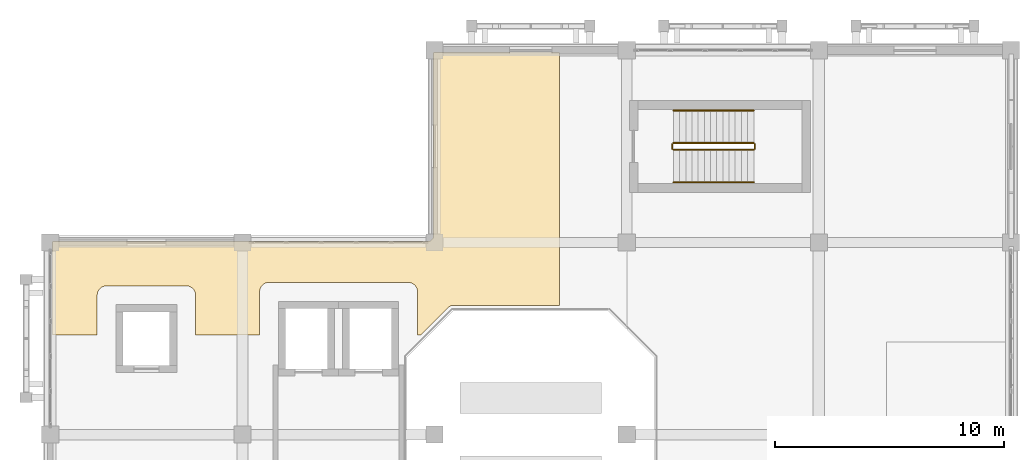
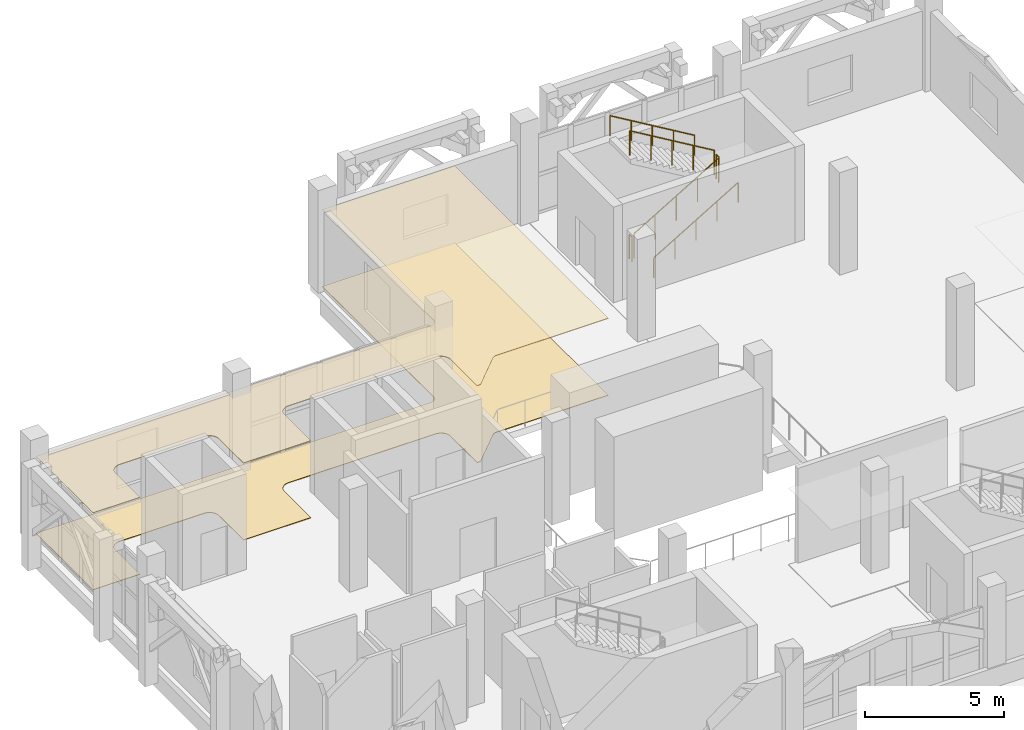
# One storey, part 29 of 30: 6 railings, 2 coverings.
"""IFC4 building model written with IfcOpenShell, lengths in metres."""

from ifc_helpers import new_model, si_unit, direction, frame, origin, origin_2d, place, context, subcontext, project, spatial, polyline, circle, outline, extrude, material, layer, layer_set, type_object, element, save


model = new_model("IFC4")

# Units and contexts
model_context = context("Model", 3, precision=1e-05, world=origin(), true_north=direction((0.0, 1.0)))
body_context = subcontext(model_context, "Body", "Model", "MODEL_VIEW")
ifc_project = project(units=[si_unit("LENGTHUNIT", "METRE"), si_unit("AREAUNIT", "SQUARE_METRE"), si_unit("VOLUMEUNIT", "CUBIC_METRE"), si_unit("PLANEANGLEUNIT", "RADIAN"), si_unit("MASSUNIT", "GRAM", prefix="KILO")], contexts=[model_context])

# Site, building, storey
site_placement = place(None, origin())
site = spatial("IfcSite", under=ifc_project, at=site_placement, CompositionType="ELEMENT")
building_placement = place(site_placement, origin())
building = spatial("IfcBuilding", under=site, at=building_placement, Name="Xazarin Passage Department Store", CompositionType="ELEMENT")
storey_placement = place(building_placement, frame((0.0, 0.0, 23.39990234375)))
storey = spatial("IfcBuildingStorey", under=building, at=storey_placement, Name="L05", CompositionType="ELEMENT", Elevation=23.39990234375)

# Coverings
ifc_material_1 = material(Name="Acoustic mineral ceiling")
ifc_layer_1 = layer(ifc_material_1, 0.030029296875)
ifc_layer_set_1 = layer_set([ifc_layer_1], Name="Acoustic mineral ceiling")
covering_type_1 = type_object("IfcCoveringType", Name="ARC-COV-CLG030", PredefinedType="CEILING", material=ifc_layer_set_1)
covering_1_placement = place(storey_placement, frame((0.0, 0.0, 3.3701171875)))
element("IfcCovering", 1, at=covering_1_placement, inside=storey, type_object=covering_type_1, Name="L05 Smart Home Gallery Acoustic Ceiling", PredefinedType="CEILING", context=body_context, shape_type="SweptSolid", body=[
    extrude(outline(polyline([(2.050048828125, 97.550048828125), (2.050048828125, 99.300048828125), (2.052001953125, 99.339111328125), (2.0576171875, 99.3779296875), (2.067138671875, 99.416015625), (2.080322265625, 99.453125), (2.09716796875, 99.488525390625), (2.117431640625, 99.522216796875), (2.140869140625, 99.5537109375), (2.167236328125, 99.582763671875), (2.1962890625, 99.609130859375), (2.227783203125, 99.632568359375), (2.261474609375, 99.65283203125), (2.296875, 99.669677734375), (2.333984375, 99.682861328125), (2.3720703125, 99.6923828125), (2.410888671875, 99.697998046875), (2.449951171875, 99.699951171875), (5.949951171875, 99.699951171875), (5.9892578125, 99.697998046875), (6.028076171875, 99.6923828125), (6.066162109375, 99.682861328125), (6.10302734375, 99.669677734375), (6.138671875, 99.65283203125), (6.172119140625, 99.632568359375), (6.203857421875, 99.609130859375), (6.23291015625, 99.582763671875), (6.25927734375, 99.5537109375), (6.28271484375, 99.522216796875), (6.302734375, 99.488525390625), (6.319580078125, 99.453125), (6.332763671875, 99.416015625), (6.34228515625, 99.3779296875), (6.34814453125, 99.339111328125), (6.35009765625, 99.300048828125), (6.35009765625, 97.550048828125), (9.14990234375, 97.550048828125), (9.14990234375, 99.449951171875), (9.15185546875, 99.4892578125), (9.15771484375, 99.528076171875), (9.167236328125, 99.566162109375), (9.180419921875, 99.60302734375), (9.197265625, 99.638671875), (9.21728515625, 99.672119140625), (9.24072265625, 99.703857421875), (9.26708984375, 99.73291015625), (9.296142578125, 99.75927734375), (9.327880859375, 99.78271484375), (9.361328125, 99.802734375), (9.39697265625, 99.819580078125), (9.433837890625, 99.832763671875), (9.471923828125, 99.84228515625), (9.5107421875, 99.84814453125), (9.550048828125, 99.85009765625), (15.64990234375, 99.85009765625), (15.689208984375, 99.84814453125), (15.72802734375, 99.84228515625), (15.76611328125, 99.832763671875), (15.802978515625, 99.819580078125), (15.838623046875, 99.802734375), (15.872314453125, 99.78271484375), (15.90380859375, 99.75927734375), (15.932861328125, 99.73291015625), (15.959228515625, 99.703857421875), (15.982666015625, 99.672119140625), (16.002685546875, 99.638671875), (16.01953125, 99.60302734375), (16.03271484375, 99.566162109375), (16.042236328125, 99.528076171875), (16.048095703125, 99.4892578125), (16.050048828125, 99.449951171875), (16.050048828125, 97.550048828125), (16.1962890625, 97.550048828125), (17.423095703125, 98.77685546875), (17.44140625, 98.793212890625), (17.461181640625, 98.807861328125), (17.482177734375, 98.820556640625), (17.50439453125, 98.8310546875), (17.52734375, 98.839111328125), (17.55126953125, 98.84521484375), (17.575439453125, 98.848876953125), (17.60009765625, 98.85009765625), (22.25, 98.85009765625), (22.25, 109.89990234375), (16.75, 109.89990234375), (16.75, 101.89990234375), (16.748779296875, 101.87548828125), (16.7451171875, 101.851318359375), (16.7392578125, 101.827392578125), (16.73095703125, 101.80419921875), (16.720458984375, 101.7822265625), (16.7080078125, 101.760986328125), (16.693359375, 101.741455078125), (16.6767578125, 101.72314453125), (16.65869140625, 101.706787109375), (16.638916015625, 101.692138671875), (16.617919921875, 101.679443359375), (16.595703125, 101.6689453125), (16.572509765625, 101.660888671875), (16.548828125, 101.65478515625), (16.5244140625, 101.651123046875), (16.5, 101.64990234375), (0.10009765625, 101.64990234375), (0.10009765625, 97.550048828125), (2.050048828125, 97.550048828125)])), origin(), (0.0, 0.0, 1.0), 0.030029296875),
])
ifc_material_2 = material(Name="Terrazzo stone flooring", Category="masonry")
ifc_layer_2 = layer(ifc_material_2, 0.02490234375)
ifc_layer_set_2 = layer_set([ifc_layer_2], Name="Terrazzo stone flooring")
covering_type_2 = type_object("IfcCoveringType", Name="ARC-COV-FLR025", PredefinedType="FLOORING", material=ifc_layer_set_2)
covering_2_placement = place(storey_placement, origin())
element("IfcCovering", 2, at=covering_2_placement, inside=storey, type_object=covering_type_2, Name="L05 Smart Home Gallery Terrazzo Flooring", PredefinedType="FLOORING", context=body_context, shape_type="SweptSolid", body=[
    extrude(outline(polyline([(2.050048828125, 97.550048828125), (2.050048828125, 99.300048828125), (2.052001953125, 99.339111328125), (2.0576171875, 99.3779296875), (2.067138671875, 99.416015625), (2.080322265625, 99.453125), (2.09716796875, 99.488525390625), (2.117431640625, 99.522216796875), (2.140869140625, 99.5537109375), (2.167236328125, 99.582763671875), (2.1962890625, 99.609130859375), (2.227783203125, 99.632568359375), (2.261474609375, 99.65283203125), (2.296875, 99.669677734375), (2.333984375, 99.682861328125), (2.3720703125, 99.6923828125), (2.410888671875, 99.697998046875), (2.449951171875, 99.699951171875), (5.949951171875, 99.699951171875), (5.9892578125, 99.697998046875), (6.028076171875, 99.6923828125), (6.066162109375, 99.682861328125), (6.10302734375, 99.669677734375), (6.138671875, 99.65283203125), (6.172119140625, 99.632568359375), (6.203857421875, 99.609130859375), (6.23291015625, 99.582763671875), (6.25927734375, 99.5537109375), (6.28271484375, 99.522216796875), (6.302734375, 99.488525390625), (6.319580078125, 99.453125), (6.332763671875, 99.416015625), (6.34228515625, 99.3779296875), (6.34814453125, 99.339111328125), (6.35009765625, 99.300048828125), (6.35009765625, 97.550048828125), (9.14990234375, 97.550048828125), (9.14990234375, 99.449951171875), (9.15185546875, 99.4892578125), (9.15771484375, 99.528076171875), (9.167236328125, 99.566162109375), (9.180419921875, 99.60302734375), (9.197265625, 99.638671875), (9.21728515625, 99.672119140625), (9.24072265625, 99.703857421875), (9.26708984375, 99.73291015625), (9.296142578125, 99.75927734375), (9.327880859375, 99.78271484375), (9.361328125, 99.802734375), (9.39697265625, 99.819580078125), (9.433837890625, 99.832763671875), (9.471923828125, 99.84228515625), (9.5107421875, 99.84814453125), (9.550048828125, 99.85009765625), (15.64990234375, 99.85009765625), (15.689208984375, 99.84814453125), (15.72802734375, 99.84228515625), (15.76611328125, 99.832763671875), (15.802978515625, 99.819580078125), (15.838623046875, 99.802734375), (15.872314453125, 99.78271484375), (15.90380859375, 99.75927734375), (15.932861328125, 99.73291015625), (15.959228515625, 99.703857421875), (15.982666015625, 99.672119140625), (16.002685546875, 99.638671875), (16.01953125, 99.60302734375), (16.03271484375, 99.566162109375), (16.042236328125, 99.528076171875), (16.048095703125, 99.4892578125), (16.050048828125, 99.449951171875), (16.050048828125, 97.550048828125), (16.1962890625, 97.550048828125), (17.423095703125, 98.77685546875), (17.44140625, 98.793212890625), (17.461181640625, 98.807861328125), (17.482177734375, 98.820556640625), (17.50439453125, 98.8310546875), (17.52734375, 98.839111328125), (17.55126953125, 98.84521484375), (17.575439453125, 98.848876953125), (17.60009765625, 98.85009765625), (22.25, 98.85009765625), (22.25, 109.89990234375), (16.75, 109.89990234375), (16.75, 101.89990234375), (16.748779296875, 101.87548828125), (16.7451171875, 101.851318359375), (16.7392578125, 101.827392578125), (16.73095703125, 101.80419921875), (16.720458984375, 101.7822265625), (16.7080078125, 101.760986328125), (16.693359375, 101.741455078125), (16.6767578125, 101.72314453125), (16.65869140625, 101.706787109375), (16.638916015625, 101.692138671875), (16.617919921875, 101.679443359375), (16.595703125, 101.6689453125), (16.572509765625, 101.660888671875), (16.548828125, 101.65478515625), (16.5244140625, 101.651123046875), (16.5, 101.64990234375), (0.10009765625, 101.64990234375), (0.10009765625, 97.550048828125), (2.050048828125, 97.550048828125)])), origin(), (0.0, 0.0, 1.0), 0.025146484375),
])

# Railings
ifc_material_3 = material(Name="Steel S355", Category="steel")
railing_type_1 = type_object("IfcRailingType", Name="ARC-RL-GRD112", PredefinedType="GUARDRAIL", material=ifc_material_3)
railing_1_placement = place(storey_placement, frame((27.239990234375, 105.64990234375, 0.160888671875)))
element("IfcRailing", 3, at=railing_1_placement, inside=storey, type_object=railing_type_1, Name="L05 ST2 stair guard 1", PredefinedType="GUARDRAIL", context=body_context, shape_type="SweptSolid", body=[
    extrude(circle(Radius=0.02392578125, at=origin_2d()), frame((0.0, 0.0, 1.076171875), z_axis=(0.859312273368, 0.0, 0.511451284914), x_axis=(0.0, 1.0, 0.0)), (0.0, 0.0, 1.0), 4.084716796875),
    extrude(circle(Radius=0.02099609375, at=origin_2d()), origin(), (0.0, 0.0, 1.0), 1.0517578125),
    extrude(circle(Radius=0.02099609375, at=origin_2d()), frame((0.87744140625, 0.0, 0.522216796875)), (0.0, 0.0, 1.0), 1.0517578125),
    extrude(circle(Radius=0.02099609375, at=origin_2d()), frame((1.7548828125, 0.0, 1.04443359375)), (0.0, 0.0, 1.0), 1.0517578125),
    extrude(circle(Radius=0.02099609375, at=origin_2d()), frame((2.632568359375, 0.0, 1.56689453125)), (0.0, 0.0, 1.0), 1.0517578125),
    extrude(circle(Radius=0.02099609375, at=origin_2d()), frame((3.510009765625, 0.0, 2.089111328125)), (0.0, 0.0, 1.0), 1.0517578125),
])
railing_2_placement = place(storey_placement, frame((30.800048828125, 105.699951171875, 2.25)))
element("IfcRailing", 4, at=railing_2_placement, inside=storey, type_object=railing_type_1, Name="L05 ST2 stair guard 2", PredefinedType="GUARDRAIL", context=body_context, shape_type="SweptSolid", body=[
    extrude(circle(Radius=0.02392578125, at=origin_2d()), frame((0.0, 0.0, 1.076171875), z_axis=(0.0, 1.0, 0.0), x_axis=(-1.0, 0.0, 0.0)), (0.0, 0.0, 1.0), 0.199951171875),
    extrude(circle(Radius=0.02099609375, at=origin_2d()), origin(), (0.0, 0.0, 1.0), 1.0517578125),
    extrude(circle(Radius=0.02099609375, at=origin_2d()), frame((0.0, 0.199951171875, 0.0)), (0.0, 0.0, 1.0), 1.0517578125),
])
railing_3_placement = place(storey_placement, frame((30.75, 105.949951171875, 2.410888671875)))
element("IfcRailing", 5, at=railing_3_placement, inside=storey, type_object=railing_type_1, Name="L05 ST2 stair guard 3", PredefinedType="GUARDRAIL", context=body_context, shape_type="SweptSolid", body=[
    extrude(circle(Radius=0.02392578125, at=origin_2d()), frame((0.0, 0.0, 1.076171875), z_axis=(-0.859312273368, 0.0, 0.511451284914), x_axis=(0.0, -1.0, 0.0)), (0.0, 0.0, 1.0), 4.084716796875),
    extrude(circle(Radius=0.02099609375, at=origin_2d()), origin(), (0.0, 0.0, 1.0), 1.0517578125),
    extrude(circle(Radius=0.02099609375, at=origin_2d()), frame((-0.87744140625, 0.0, 0.522216796875)), (0.0, 0.0, 1.0), 1.0517578125),
    extrude(circle(Radius=0.02099609375, at=origin_2d()), frame((-1.7548828125, 0.0, 1.04443359375)), (0.0, 0.0, 1.0), 1.0517578125),
    extrude(circle(Radius=0.02099609375, at=origin_2d()), frame((-2.632568359375, 0.0, 1.56689453125)), (0.0, 0.0, 1.0), 1.0517578125),
    extrude(circle(Radius=0.02099609375, at=origin_2d()), frame((-3.510009765625, 0.0, 2.089111328125)), (0.0, 0.0, 1.0), 1.0517578125),
])
railing_4_placement = place(storey_placement, frame((27.18994140625, 105.699951171875, 0.0)))
element("IfcRailing", 6, at=railing_4_placement, inside=storey, type_object=railing_type_1, Name="L05 ST2 stair guard 4", PredefinedType="GUARDRAIL", context=body_context, shape_type="SweptSolid", body=[
    extrude(circle(Radius=0.02392578125, at=origin_2d()), frame((0.0, 0.0, 1.076171875), z_axis=(0.0, 1.0, 0.0), x_axis=(-1.0, 0.0, 0.0)), (0.0, 0.0, 1.0), 0.199951171875),
    extrude(circle(Radius=0.02099609375, at=origin_2d()), origin(), (0.0, 0.0, 1.0), 1.0517578125),
    extrude(circle(Radius=0.02099609375, at=origin_2d()), frame((0.0, 0.199951171875, 0.0)), (0.0, 0.0, 1.0), 1.0517578125),
])
railing_type_2 = type_object("IfcRailingType", Name="ARC-RL-HND090", PredefinedType="HANDRAIL", material=ifc_material_3)
railing_5_placement = place(storey_placement, frame((27.239990234375, 104.22998046875, 0.160888671875)))
element("IfcRailing", 7, at=railing_5_placement, inside=storey, type_object=railing_type_2, Name="L05 ST2 stair handrail 1", PredefinedType="HANDRAIL", context=body_context, shape_type="SweptSolid", body=[
    extrude(circle(Radius=0.02392578125, at=origin_2d()), frame((0.0, 0.0, 0.8759765625), z_axis=(0.859312273368, 0.0, 0.511451284914), x_axis=(0.0, 1.0, 0.0)), (0.0, 0.0, 1.0), 4.084716796875),
    extrude(circle(Radius=0.02099609375, at=origin_2d()), origin(), (0.0, 0.0, 1.0), 0.8515625),
    extrude(circle(Radius=0.02099609375, at=origin_2d()), frame((0.87744140625, 0.0, 0.522216796875)), (0.0, 0.0, 1.0), 0.8515625),
    extrude(circle(Radius=0.02099609375, at=origin_2d()), frame((1.7548828125, 0.0, 1.04443359375)), (0.0, 0.0, 1.0), 0.8515625),
    extrude(circle(Radius=0.02099609375, at=origin_2d()), frame((2.632568359375, 0.0, 1.56689453125)), (0.0, 0.0, 1.0), 0.8515625),
    extrude(circle(Radius=0.02099609375, at=origin_2d()), frame((3.510009765625, 0.0, 2.089111328125)), (0.0, 0.0, 1.0), 0.8515625),
])
railing_6_placement = place(storey_placement, frame((30.75, 107.3701171875, 2.410888671875)))
element("IfcRailing", 8, at=railing_6_placement, inside=storey, type_object=railing_type_2, Name="L05 ST2 stair handrail 2", PredefinedType="HANDRAIL", context=body_context, shape_type="SweptSolid", body=[
    extrude(circle(Radius=0.02392578125, at=origin_2d()), frame((0.0, 0.0, 0.8759765625), z_axis=(-0.859312273368, 0.0, 0.511451284914), x_axis=(0.0, -1.0, 0.0)), (0.0, 0.0, 1.0), 4.084716796875),
    extrude(circle(Radius=0.02099609375, at=origin_2d()), origin(), (0.0, 0.0, 1.0), 0.8515625),
    extrude(circle(Radius=0.02099609375, at=origin_2d()), frame((-0.87744140625, 0.0, 0.522216796875)), (0.0, 0.0, 1.0), 0.8515625),
    extrude(circle(Radius=0.02099609375, at=origin_2d()), frame((-1.7548828125, 0.0, 1.04443359375)), (0.0, 0.0, 1.0), 0.8515625),
    extrude(circle(Radius=0.02099609375, at=origin_2d()), frame((-2.632568359375, 0.0, 1.56689453125)), (0.0, 0.0, 1.0), 0.8515625),
    extrude(circle(Radius=0.02099609375, at=origin_2d()), frame((-3.510009765625, 0.0, 2.089111328125)), (0.0, 0.0, 1.0), 0.8515625),
])

save(model, "model.ifc")
